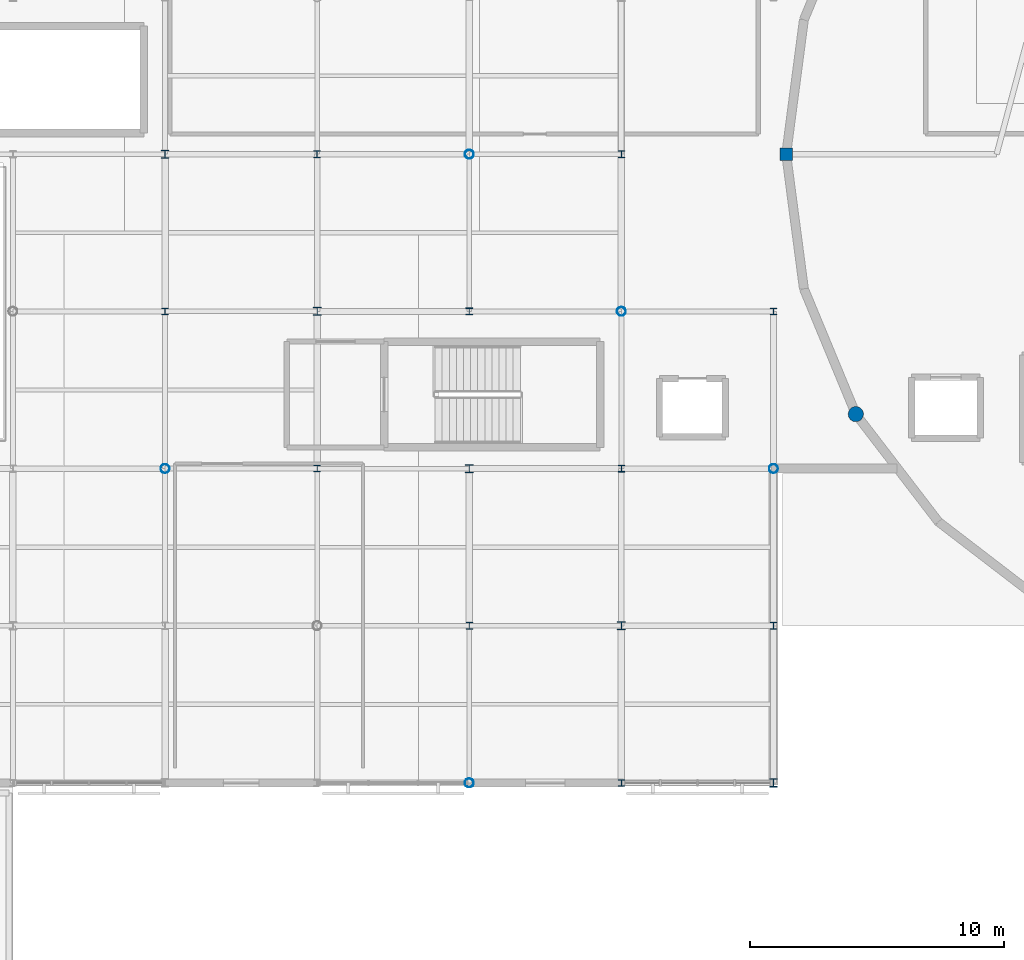
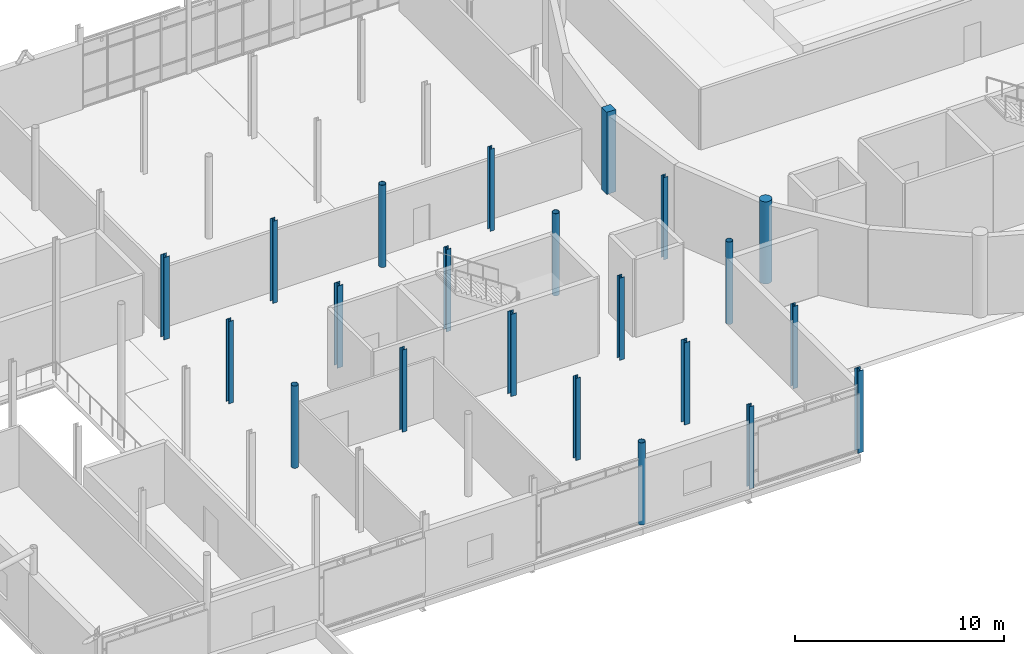
# One storey, part 2 of 84: 22 columns.
"""IFC4 building model written with IfcOpenShell, lengths in metres."""

import ifcopenshell
import ifcopenshell.guid

model = None  # the IFC model being written
_history = None  # IfcOwnerHistory: only IFC2X3 demands one
_inside = {}  # id of a spatial element -> (the spatial element, [elements in it])
_under = {}  # id of a project, library or spatial element -> (it, [spatial elements below it])
_declared = {}  # id of a project -> (the project, [libraries it declares])
_typed = {}  # id of a type object -> (the type object, [elements of that type])
_made_of = {}  # id of a material, layer set ... -> (it, [elements and type objects made of it])


def new_model(schema):
    """Start an empty IFC model of exactly this schema.

    Asked for "IFC4X3", IfcOpenShell would pick the latest addendum, in which some entities
    have other attributes; the version numbers below select the first issue.
    IFC2X3 requires an IfcOwnerHistory on every rooted entity: one is made here for all.
    """
    global model, _history
    if schema == "IFC4X3":
        model = ifcopenshell.file(schema_version=(4, 3, 0, 0))
    else:
        model = ifcopenshell.file(schema=schema)
    _inside.clear()
    _under.clear()
    _declared.clear()
    _typed.clear()
    _made_of.clear()
    _history = None
    if model.schema == "IFC2X3":
        org = make("IfcOrganization", Name="unknown")
        user = make(
            "IfcPersonAndOrganization",
            ThePerson=make("IfcPerson", FamilyName="unknown"),
            TheOrganization=org,
        )
        app = make(
            "IfcApplication",
            ApplicationDeveloper=org,
            Version="unknown",
            ApplicationFullName="unknown",
            ApplicationIdentifier="unknown",
        )
        _history = make(
            "IfcOwnerHistory",
            OwningUser=user,
            OwningApplication=app,
            ChangeAction="ADDED",
            CreationDate=0,
        )
    return model


def make(cls, **values):
    """One entity of the class cls with the attributes given. An attribute that is None is left unset."""
    return model.create_entity(
        cls, **{name: value for name, value in values.items() if value is not None}
    )


def rooted(cls, **values):
    """An entity with a GlobalId (a new one), such as an element, a storey or a relation."""
    return make(cls, GlobalId=ifcopenshell.guid.new(), OwnerHistory=_history, **values)


def si_unit(unit_type, name, prefix=None):
    """IfcSIUnit, for example si_unit("LENGTHUNIT", "METRE", prefix="MILLI")."""
    return make("IfcSIUnit", UnitType=unit_type, Prefix=prefix, Name=name)


def assignment(units):
    """IfcUnitAssignment: the units of a project."""
    return None if units is None else make("IfcUnitAssignment", Units=units)


def point(xyz):
    """IfcCartesianPoint."""
    return None if xyz is None else make("IfcCartesianPoint", Coordinates=xyz)


def direction(xyz):
    """IfcDirection."""
    return None if xyz is None else make("IfcDirection", DirectionRatios=xyz)


def frame(location, z_axis=None, x_axis=None):
    """IfcAxis2Placement3D, a coordinate frame: its origin and axes. An axis left out is left unset."""
    return make(
        "IfcAxis2Placement3D",
        Location=point(location),
        Axis=direction(z_axis),
        RefDirection=direction(x_axis),
    )


def frame_2d(location, x_axis=None):
    """IfcAxis2Placement2D, a coordinate frame in the plane: its origin and x axis."""
    return make(
        "IfcAxis2Placement2D", Location=point(location), RefDirection=direction(x_axis)
    )


def origin():
    """The frame at (0, 0, 0) with its axes left unset."""
    return frame((0.0, 0.0, 0.0))


def origin_2d():
    """The frame at (0, 0) in the plane with its x axis left unset."""
    return frame_2d((0.0, 0.0))


def place(relative_to, where):
    """IfcLocalPlacement: puts the frame where relative to a parent placement (None: the world)."""
    return make(
        "IfcLocalPlacement", PlacementRelTo=relative_to, RelativePlacement=where
    )


def context(
    kind, dimensions, precision=None, world=None, true_north=None, identifier=None
):
    """IfcGeometricRepresentationContext, for example the 3D "Model" context."""
    return make(
        "IfcGeometricRepresentationContext",
        ContextIdentifier=identifier,
        ContextType=kind,
        CoordinateSpaceDimension=dimensions,
        Precision=precision,
        WorldCoordinateSystem=world,
        TrueNorth=true_north,
    )


def subcontext(parent, identifier, kind, view, scale=None):
    """IfcGeometricRepresentationSubContext, for example "Body" below "Model"."""
    return make(
        "IfcGeometricRepresentationSubContext",
        ContextIdentifier=identifier,
        ContextType=kind,
        ParentContext=parent,
        TargetScale=scale,
        TargetView=view,
    )


def project(units=None, contexts=None):
    """IfcProject with its units and contexts."""
    return rooted(
        "IfcProject",
        Name="project",
        RepresentationContexts=contexts,
        UnitsInContext=assignment(units),
    )


def spatial(cls, under=None, at=None, **own):
    """A site, building, storey or space (cls), placed at a placement, below another one or the project."""
    s = rooted(cls, ObjectPlacement=at, **own)
    if under is not None:
        _under.setdefault(under.id(), (under, []))[1].append(s)
    return s


def profile(cls, at=None, kind="AREA", **sizes):
    """A parametric profile (cls). Its sizes go by their IFC names, for example OverallWidth=200.0."""
    return make(cls, ProfileType=kind, Position=at, **sizes)


def rectangle(**sizes):
    """IfcRectangleProfileDef."""
    return profile("IfcRectangleProfileDef", **sizes)


def circle(**sizes):
    """IfcCircleProfileDef."""
    return profile("IfcCircleProfileDef", **sizes)


def hollow_circle(**sizes):
    """IfcCircleHollowProfileDef."""
    return profile("IfcCircleHollowProfileDef", **sizes)


def i_section(**sizes):
    """IfcIShapeProfileDef."""
    return profile("IfcIShapeProfileDef", **sizes)


def extrude(swept, where, along, depth):
    """IfcExtrudedAreaSolid: the profile swept, set in the frame where, extruded along a direction by depth."""
    return make(
        "IfcExtrudedAreaSolid",
        SweptArea=swept,
        Position=where,
        ExtrudedDirection=direction(along),
        Depth=depth,
    )


def shape(context_of_items, identifier, shape_type, items):
    """IfcShapeRepresentation: the items that make up one representation, for example the "Body"."""
    return make(
        "IfcShapeRepresentation",
        ContextOfItems=context_of_items,
        RepresentationIdentifier=identifier,
        RepresentationType=shape_type,
        Items=items,
    )


def material(Name=None, Category=None):
    """IfcMaterial."""
    return make("IfcMaterial", Name=Name, Category=Category)


def material_profile(
    of_material, cross_section, Name=None, Category=None, Priority=None
):
    """IfcMaterialProfile: a cross section and its material."""
    return make(
        "IfcMaterialProfile",
        Name=Name,
        Material=of_material,
        Profile=cross_section,
        Priority=Priority,
        Category=Category,
    )


def profile_set(profiles, Name=None, composite=None):
    """IfcMaterialProfileSet."""
    return make(
        "IfcMaterialProfileSet",
        Name=Name,
        MaterialProfiles=profiles,
        CompositeProfile=composite,
    )


def made_of(thing, what):
    """Note that an element or type object is made of a material, layer set ...; save() writes the relation."""
    if what is not None:
        _made_of.setdefault(what.id(), (what, []))[1].append(thing)
    return thing


def type_object(cls, material=None, **own):
    """A type object (cls), such as IfcWallType, which elements share."""
    return made_of(rooted(cls, **own), material)


def element(
    cls,
    number,
    at=None,
    inside=None,
    cuts=None,
    type_object=None,
    material=None,
    context=None,
    identifier="Body",
    shape_type=None,
    held_by="IfcProductDefinitionShape",
    body=None,
    shapes=None,
    **own,
):
    """One element of the class cls, such as IfcWall. Its Tag is "e" and its number.

    at: its placement. inside: the storey or other place that contains it. cuts: it is an
    opening in that element (IfcRelVoidsElement). A single representation is given by context,
    identifier, shape_type and body (its items); several are given by shapes. held_by: the class
    of the entity that holds the representations. save() writes the other relations.
    """
    e = rooted(cls, Tag="e%d" % number, ObjectPlacement=at, **own)
    if body is not None:
        shapes = [shape(context, identifier, shape_type, body)]
    if shapes is not None:
        e.Representation = make(held_by, Representations=shapes)
    if inside is not None:
        _inside.setdefault(inside.id(), (inside, []))[1].append(e)
    if cuts is not None:
        rooted(
            "IfcRelVoidsElement", RelatingBuildingElement=cuts, RelatedOpeningElement=e
        )
    if type_object is not None:
        _typed.setdefault(type_object.id(), (type_object, []))[1].append(e)
    return made_of(e, material)


def aggregate(whole, parts):
    """IfcRelAggregates: a whole, such as a stair, and the parts it consists of."""
    return rooted("IfcRelAggregates", RelatingObject=whole, RelatedObjects=parts)


def save(model, path):
    """Write the relations noted so far, then the file.

    IfcRelAggregates (storeys below a building ...), IfcRelContainedInSpatialStructure (elements
    in a storey), IfcRelDefinesByType, IfcRelAssociatesMaterial and IfcRelDeclares: one each for
    every whole, place, type object, material and project.
    """
    for whole, parts in _under.values():
        aggregate(whole, parts)
    for where, things in _inside.values():
        rooted(
            "IfcRelContainedInSpatialStructure",
            RelatedElements=things,
            RelatingStructure=where,
        )
    for kind, things in _typed.values():
        rooted("IfcRelDefinesByType", RelatedObjects=things, RelatingType=kind)
    for what, things in _made_of.values():
        rooted("IfcRelAssociatesMaterial", RelatedObjects=things, RelatingMaterial=what)
    for by, libraries in _declared.values():
        rooted("IfcRelDeclares", RelatingContext=by, RelatedDefinitions=libraries)
    model.write(path)


model = new_model("IFC4")

# Units and contexts
model_context = context("Model", 3, precision=1e-05, world=origin(), true_north=direction((0.0, 1.0)))
body_context = subcontext(model_context, "Body", "Model", "MODEL_VIEW")
ifc_project = project(units=[si_unit("LENGTHUNIT", "METRE"), si_unit("AREAUNIT", "SQUARE_METRE"), si_unit("VOLUMEUNIT", "CUBIC_METRE"), si_unit("PLANEANGLEUNIT", "RADIAN"), si_unit("MASSUNIT", "GRAM", prefix="KILO")], contexts=[model_context])

# Site, building, storey
site_placement = place(None, origin())
site = spatial("IfcSite", under=ifc_project, at=site_placement, CompositionType="ELEMENT")
building_placement = place(site_placement, origin())
building = spatial("IfcBuilding", under=site, at=building_placement, Name="Mirzam Square Science Centre", CompositionType="ELEMENT")
storey_placement = place(building_placement, frame((0.0, 0.0, 10.800048828125)))
storey = spatial("IfcBuildingStorey", under=building, at=storey_placement, Name="L02", CompositionType="ELEMENT", Elevation=10.800048828125)

# Columns
ifc_material_1 = material(Name="Steel S355", Category="steel")
ifc_material_profile_1 = material_profile(ifc_material_1, hollow_circle(Radius=0.177734375, WallThickness=0.012451171875, at=origin_2d()), Name="355.6x12.5CHS")
ifc_profile_set_1 = profile_set([ifc_material_profile_1], Name="Steel S355")
column_type_1 = type_object("IfcColumnType", Name="COL-CHS355", PredefinedType="COLUMN", material=ifc_profile_set_1)
for number, where, z_axis, x_axis, name in (
    (1, (36.0, 49.60009765625, 0.0), (0.0, 0.0, 1.0), (1.0, 0.0, 0.0), "L02 column G07-09"),
    (2, (48.0, 37.199951171875, 0.0), (0.0, 0.0, 1.0), (1.0, 0.0, 0.0), "L02 column G09-07"),
    (3, (48.0, 62.0, 0.0), (0.0, 0.0, 1.0), (1.0, 0.0, 0.0), "L02 column G09-11"),
    (4, (54.0, 55.800048828125, 0.0), (0.0, 0.0, 1.0), (1.0, 0.0, 0.0), "L02 column G10-10"),
    (5, (60.0, 49.60009765625, 0.0), (0.0, 0.0, 1.0), (1.0, 0.0, 0.0), "L02 column G11-09"),
):
    element("IfcColumn", number, at=place(storey_placement, frame(where, z_axis=z_axis, x_axis=x_axis)), inside=storey, type_object=column_type_1, Name=name, PredefinedType="COLUMN", context=body_context, shape_type="SweptSolid", body=[
        extrude(hollow_circle(Radius=0.177734375, WallThickness=0.012451171875, at=origin_2d()), origin(), (0.0, 0.0, 1.0), 4.800048828125),
    ])
ifc_material_profile_2 = material_profile(ifc_material_1, i_section(OverallWidth=0.25634765625, OverallDepth=0.26025390625, WebThickness=0.01025390625, FlangeThickness=0.017333984375, FilletRadius=0.0126953125, at=origin_2d()), Name="254x254x89UC")
ifc_profile_set_2 = profile_set([ifc_material_profile_2], Name="Steel S355")
column_type_2 = type_object("IfcColumnType", Name="COL-UC254A", PredefinedType="COLUMN", material=ifc_profile_set_2)
for number, where, z_axis, x_axis, name in (
    (6, (36.0, 55.800048828125, 0.0), (0.0, 0.0, 1.0), (1.0, 0.0, 0.0), "L02 column G07-10"),
    (7, (42.0, 49.60009765625, 0.0), (0.0, 0.0, 1.0), (1.0, 0.0, 0.0), "L02 column G08-09"),
    (8, (48.0, 43.39990234375, 0.0), (0.0, 0.0, 1.0), (1.0, 0.0, 0.0), "L02 column G09-08"),
    (9, (54.0, 37.199951171875, 0.0), (0.0, 0.0, 1.0), (1.0, 0.0, 0.0), "L02 column G10-07"),
    (10, (54.0, 62.0, 0.0), (0.0, 0.0, 1.0), (1.0, 0.0, 0.0), "L02 column G10-11"),
    (11, (60.0, 55.800048828125, 0.0), (0.0, 0.0, 1.0), (1.0, 0.0, 0.0), "L02 column G11-10"),
):
    element("IfcColumn", number, at=place(storey_placement, frame(where, z_axis=z_axis, x_axis=x_axis)), inside=storey, type_object=column_type_2, Name=name, PredefinedType="COLUMN", context=body_context, shape_type="SweptSolid", body=[
        extrude(i_section(OverallWidth=0.25634765625, OverallDepth=0.26025390625, WebThickness=0.01025390625, FlangeThickness=0.017333984375, FilletRadius=0.0126953125, at=origin_2d()), origin(), (0.0, 0.0, 1.0), 4.800048828125),
    ])
ifc_material_profile_3 = material_profile(ifc_material_1, i_section(OverallWidth=0.26123046875, OverallDepth=0.2763671875, WebThickness=0.015380859375, FlangeThickness=0.025390625, FilletRadius=0.0126953125, at=origin_2d()), Name="254x254x132UC")
ifc_profile_set_3 = profile_set([ifc_material_profile_3], Name="Steel S355")
column_type_3 = type_object("IfcColumnType", Name="COL-UC254B", PredefinedType="COLUMN", material=ifc_profile_set_3)
for number, where, z_axis, x_axis, name in (
    (12, (42.0, 62.0, 0.0), (0.0, 0.0, 1.0), (1.0, 0.0, 0.0), "L02 column G08-11"),
    (13, (48.0, 55.800048828125, 0.0), (0.0, 0.0, 1.0), (1.0, 0.0, 0.0), "L02 column G09-10"),
    (14, (54.0, 49.60009765625, 0.0), (0.0, 0.0, 1.0), (1.0, 0.0, 0.0), "L02 column G10-09"),
    (15, (60.0, 43.39990234375, 0.0), (0.0, 0.0, 1.0), (1.0, 0.0, 0.0), "L02 column G11-08"),
):
    element("IfcColumn", number, at=place(storey_placement, frame(where, z_axis=z_axis, x_axis=x_axis)), inside=storey, type_object=column_type_3, Name=name, PredefinedType="COLUMN", context=body_context, shape_type="SweptSolid", body=[
        extrude(i_section(OverallWidth=0.26123046875, OverallDepth=0.2763671875, WebThickness=0.015380859375, FlangeThickness=0.025390625, FilletRadius=0.0126953125, at=origin_2d()), origin(), (0.0, 0.0, 1.0), 4.800048828125),
    ])
ifc_material_profile_4 = material_profile(ifc_material_1, i_section(OverallWidth=0.30908203125, OverallDepth=0.320556640625, WebThickness=0.013916015625, FlangeThickness=0.021728515625, FilletRadius=0.01513671875, at=origin_2d()), Name="305x305x137UC")
ifc_profile_set_4 = profile_set([ifc_material_profile_4], Name="Steel S355")
column_type_4 = type_object("IfcColumnType", Name="COL-UC305A", PredefinedType="COLUMN", material=ifc_profile_set_4)
for number, where, z_axis, x_axis, name in (
    (16, (36.0, 62.0, 0.0), (0.0, 0.0, 1.0), (1.0, 0.0, 0.0), "L02 column G07-11"),
    (17, (42.0, 55.800048828125, 0.0), (0.0, 0.0, 1.0), (1.0, 0.0, 0.0), "L02 column G08-10"),
    (18, (48.0, 49.60009765625, 0.0), (0.0, 0.0, 1.0), (1.0, 0.0, 0.0), "L02 column G09-09"),
    (19, (54.0, 43.39990234375, 0.0), (0.0, 0.0, 1.0), (1.0, 0.0, 0.0), "L02 column G10-08"),
    (20, (60.0, 37.199951171875, 0.0), (0.0, 0.0, 1.0), (1.0, 0.0, 0.0), "L02 column G11-07"),
):
    element("IfcColumn", number, at=place(storey_placement, frame(where, z_axis=z_axis, x_axis=x_axis)), inside=storey, type_object=column_type_4, Name=name, PredefinedType="COLUMN", context=body_context, shape_type="SweptSolid", body=[
        extrude(i_section(OverallWidth=0.30908203125, OverallDepth=0.320556640625, WebThickness=0.013916015625, FlangeThickness=0.021728515625, FilletRadius=0.01513671875, at=origin_2d()), origin(), (0.0, 0.0, 1.0), 4.800048828125),
    ])
ifc_material_2 = material(Name="Concrete C45/55", Category="concrete")
ifc_material_profile_5 = material_profile(ifc_material_2, rectangle(XDim=0.5, YDim=0.5, at=origin_2d()), Name="RC500x500")
ifc_profile_set_5 = profile_set([ifc_material_profile_5], Name="Concrete C45/55")
column_type_5 = type_object("IfcColumnType", Name="PIL-RC500", PredefinedType="PILASTER", material=ifc_profile_set_5)
column_1_placement = place(storey_placement, frame((60.5, 62.0, 0.0), z_axis=(0.0, 0.0, 1.0), x_axis=(1.0, 0.0, 0.0)))
element("IfcColumn", 21, at=column_1_placement, inside=storey, type_object=column_type_5, Name="L02 drum pilaster 13", PredefinedType="PILASTER", context=body_context, shape_type="SweptSolid", body=[
    extrude(rectangle(XDim=0.5, YDim=0.5, at=origin_2d()), origin(), (0.0, 0.0, 1.0), 4.800048828125),
])
ifc_material_profile_6 = material_profile(ifc_material_2, circle(Radius=0.300048828125, at=origin_2d()), Name="RCD600")
ifc_profile_set_6 = profile_set([ifc_material_profile_6], Name="Concrete C45/55")
column_type_6 = type_object("IfcColumnType", Name="PIL-RCD600", PredefinedType="PILASTER", material=ifc_profile_set_6)
column_2_placement = place(storey_placement, frame((63.24658203125, 51.75, 0.0), z_axis=(0.0, 0.0, 1.0), x_axis=(1.0, 0.0, 0.0)))
element("IfcColumn", 22, at=column_2_placement, inside=storey, type_object=column_type_6, Name="L02 drum pilaster 15", PredefinedType="PILASTER", context=body_context, shape_type="SweptSolid", body=[
    extrude(circle(Radius=0.300048828125, at=origin_2d()), origin(), (0.0, 0.0, 1.0), 4.800048828125),
])

save(model, "model.ifc")
